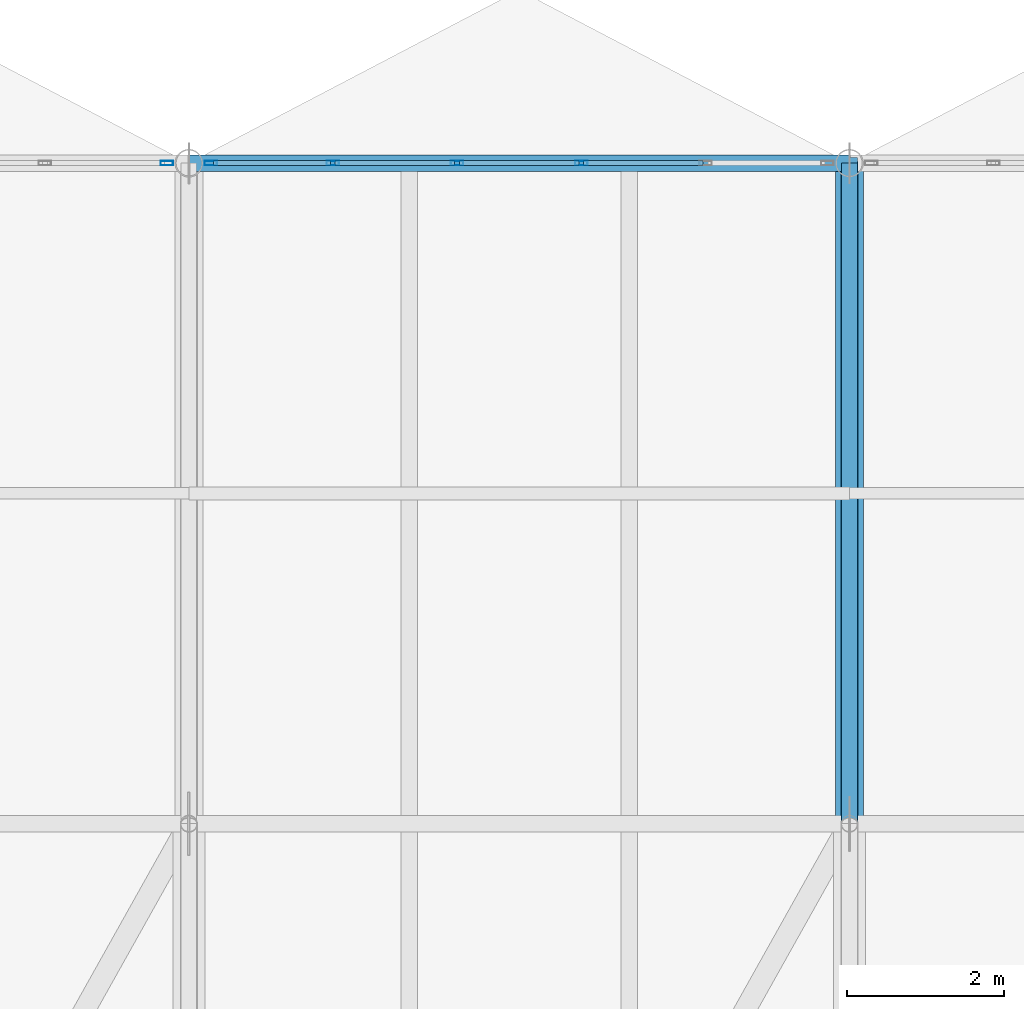
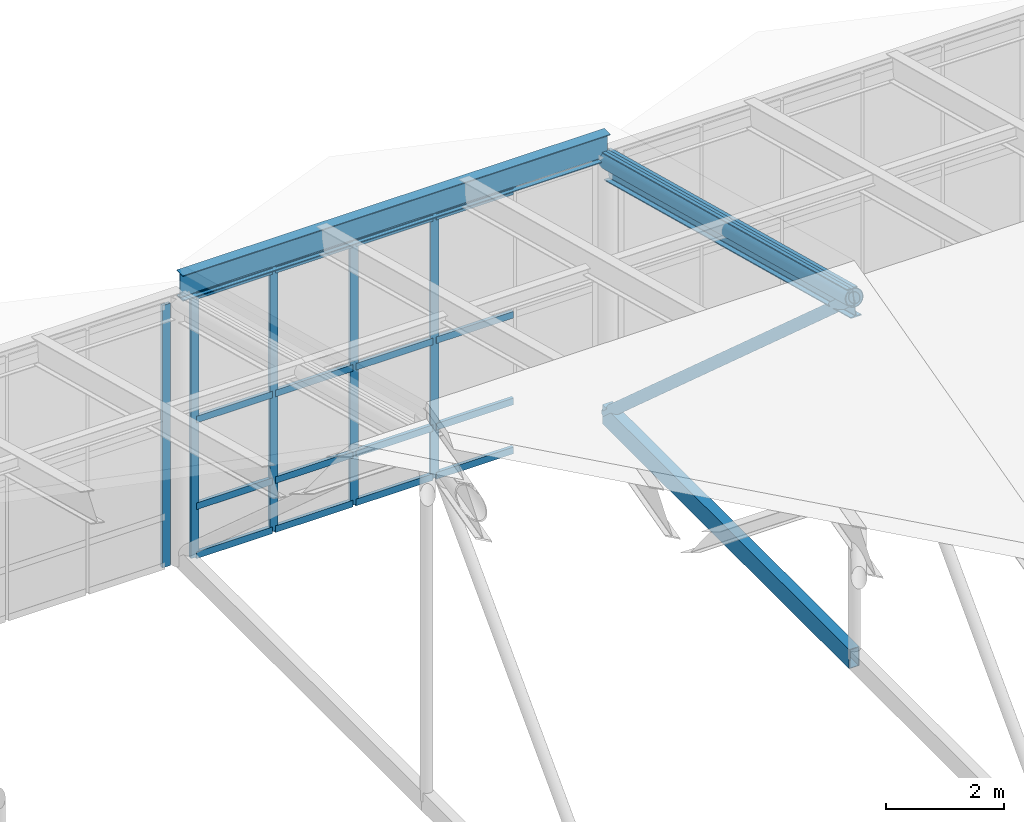
# One storey, part 30 of 43: 24 members, 2 beams, 2 elements without a shape of their own.
"""IFC4 building model written with IfcOpenShell, lengths in metres."""

from ifc_helpers import new_model, si_unit, direction, frame, origin, origin_2d, place, context, subcontext, project, spatial, hollow_rectangle, hollow_circle, i_section, extrude, material, layer, layer_set, material_profile, profile_set, type_object, element, aggregate, save


model = new_model("IFC4")

# Units and contexts
model_context = context("Model", 3, precision=1e-05, world=origin(), true_north=direction((0.0, 1.0)))
body_context = subcontext(model_context, "Body", "Model", "MODEL_VIEW")
ifc_project = project(units=[si_unit("LENGTHUNIT", "METRE"), si_unit("AREAUNIT", "SQUARE_METRE"), si_unit("VOLUMEUNIT", "CUBIC_METRE"), si_unit("PLANEANGLEUNIT", "RADIAN"), si_unit("MASSUNIT", "GRAM", prefix="KILO")], contexts=[model_context])

# Site, building, storey
site_placement = place(None, origin())
site = spatial("IfcSite", under=ifc_project, at=site_placement, CompositionType="ELEMENT")
building_placement = place(site_placement, origin())
building = spatial("IfcBuilding", under=site, at=building_placement, Name="Selat Folded Stagehouse", CompositionType="ELEMENT")
storey_placement = place(building_placement, frame((0.0, 0.0, 32.39990234375)))
storey = spatial("IfcBuildingStorey", under=building, at=storey_placement, Name="RF", CompositionType="ELEMENT", Elevation=32.39990234375)

# Beams
ifc_material_1 = material(Name="Steel S355", Category="steel")
ifc_material_profile_1 = material_profile(ifc_material_1, i_section(OverallWidth=0.210693359375, OverallDepth=0.53955078125, WebThickness=0.01171875, FlangeThickness=0.018798828125, FilletRadius=0.0126953125, at=origin_2d()), Name="UKB 533x210x109")
ifc_profile_set_1 = profile_set([ifc_material_profile_1], Name="Steel S355")
beam_type_1 = type_object("IfcBeamType", Name="BM-GIRD-533x210x109", PredefinedType="BEAM", material=ifc_profile_set_1)
beam_1_placement = place(storey_placement, frame((50.39990234375, 46.199951171875, 7.529296875), z_axis=(0.0, 0.966800633411, -0.25553186736), x_axis=(-1.0, 0.0, 0.0)))
element("IfcBeam", 1, at=beam_1_placement, inside=storey, type_object=beam_type_1, Name="RF primary north rafter beam 6", PredefinedType="BEAM", context=body_context, shape_type="SweptSolid", body=[
    extrude(i_section(OverallWidth=0.210693359375, OverallDepth=0.53955078125, WebThickness=0.01171875, FlangeThickness=0.018798828125, FilletRadius=0.0126953125, at=origin_2d()), origin(), (0.0, 0.0, 1.0), 8.688720703125),
])
ifc_material_profile_2 = material_profile(ifc_material_1, i_section(OverallWidth=0.209228515625, OverallDepth=0.533203125, WebThickness=0.010009765625, FlangeThickness=0.015625, FilletRadius=0.0126953125, at=origin_2d()), Name="UKB 533x210x92")
ifc_profile_set_2 = profile_set([ifc_material_profile_2], Name="Steel S355")
beam_type_2 = type_object("IfcBeamType", Name="BM-GIRD-533x210x92", PredefinedType="BEAM", material=ifc_profile_set_2)
beam_2_placement = place(storey_placement, frame((42.0, 54.60009765625, 5.723388671875), z_axis=(1.0, 0.0, 0.0), x_axis=(0.0, 1.0, 0.0)))
element("IfcBeam", 2, at=beam_2_placement, inside=storey, type_object=beam_type_2, Name="RF bay 5 N roof bearer beam", PredefinedType="BEAM", context=body_context, shape_type="SweptSolid", body=[
    extrude(i_section(OverallWidth=0.209228515625, OverallDepth=0.533203125, WebThickness=0.010009765625, FlangeThickness=0.015625, FilletRadius=0.0126953125, at=origin_2d()), origin(), (0.0, 0.0, 1.0), 8.39990234375),
])

# Curtain wall, member
ifc_material_2 = material(Name="Aluminium 6063-T6", Category="aluminium")
ifc_layer = layer(ifc_material_2, 0.169921875)
ifc_layer_set = layer_set([ifc_layer], Name="Aluminium 6063-T6")
curtain_wall_type = type_object("IfcCurtainWallType", Name="CW-CRN-CLER", PredefinedType="NOTDEFINED", material=ifc_layer_set)
curtain_wall_1_placement = place(storey_placement, origin())
curtain_wall_1 = element("IfcCurtainWall", 3, at=curtain_wall_1_placement, inside=storey, type_object=curtain_wall_type, Name="RF curtain wall CW-RF-N-03", PredefinedType="NOTDEFINED")
ifc_material_profile_3 = material_profile(ifc_material_2, hollow_rectangle(XDim=0.06005859375, YDim=0.159912109375, WallThickness=0.00390625, at=origin_2d()), Name="ALU 160x60x4.0")
ifc_profile_set_3 = profile_set([ifc_material_profile_3], Name="Aluminium 6063-T6")
member_type_1 = type_object("IfcMemberType", Name="CWM-MUL-160x60", PredefinedType="MULLION", material=ifc_profile_set_3)
member_1_placement = place(storey_placement, frame((41.719970703125, 54.60009765625, 0.0), z_axis=(0.0, 0.0, 1.0), x_axis=(0.0, 1.0, 0.0)))
member_1 = element("IfcMember", 4, at=member_1_placement, type_object=member_type_1, Name="CW-09 mullion 6", PredefinedType="MULLION", context=body_context, shape_type="SweptSolid", body=[
    extrude(hollow_rectangle(XDim=0.06005859375, YDim=0.159912109375, WallThickness=0.00390625, at=origin_2d()), origin(), (0.0, 0.0, 1.0), 5.4501953125),
])
aggregate(curtain_wall_1, [member_1])

# Curtain wall, members
curtain_wall_2_placement = place(storey_placement, origin())
curtain_wall_2 = element("IfcCurtainWall", 5, at=curtain_wall_2_placement, inside=storey, type_object=curtain_wall_type, Name="RF curtain wall CW-RF-N-04", PredefinedType="NOTDEFINED")
member_2_placement = place(storey_placement, frame((42.280029296875, 54.60009765625, 0.0), z_axis=(0.0, 0.0, 1.0), x_axis=(0.0, 1.0, 0.0)))
member_2 = element("IfcMember", 6, at=member_2_placement, type_object=member_type_1, Name="CW-09 mullion 1", PredefinedType="MULLION", context=body_context, shape_type="SweptSolid", body=[
    extrude(hollow_rectangle(XDim=0.06005859375, YDim=0.159912109375, WallThickness=0.00390625, at=origin_2d()), origin(), (0.0, 0.0, 1.0), 5.4501953125),
])
member_3_placement = place(storey_placement, frame((43.830078125, 54.60009765625, 0.0), z_axis=(0.0, 0.0, 1.0), x_axis=(0.0, 1.0, 0.0)))
member_3 = element("IfcMember", 7, at=member_3_placement, type_object=member_type_1, Name="CW-09 mullion 2", PredefinedType="MULLION", context=body_context, shape_type="SweptSolid", body=[
    extrude(hollow_rectangle(XDim=0.06005859375, YDim=0.159912109375, WallThickness=0.00390625, at=origin_2d()), origin(), (0.0, 0.0, 1.0), 5.4501953125),
])
member_4_placement = place(storey_placement, frame((45.409912109375, 54.60009765625, 0.0), z_axis=(0.0, 0.0, 1.0), x_axis=(0.0, 1.0, 0.0)))
member_4 = element("IfcMember", 8, at=member_4_placement, type_object=member_type_1, Name="CW-09 mullion 3", PredefinedType="MULLION", context=body_context, shape_type="SweptSolid", body=[
    extrude(hollow_rectangle(XDim=0.06005859375, YDim=0.159912109375, WallThickness=0.00390625, at=origin_2d()), origin(), (0.0, 0.0, 1.0), 5.4501953125),
])
member_5_placement = place(storey_placement, frame((46.989990234375, 54.60009765625, 0.0), z_axis=(0.0, 0.0, 1.0), x_axis=(0.0, 1.0, 0.0)))
member_5 = element("IfcMember", 9, at=member_5_placement, type_object=member_type_1, Name="CW-09 mullion 4", PredefinedType="MULLION", context=body_context, shape_type="SweptSolid", body=[
    extrude(hollow_rectangle(XDim=0.06005859375, YDim=0.159912109375, WallThickness=0.00390625, at=origin_2d()), origin(), (0.0, 0.0, 1.0), 5.4501953125),
])
ifc_material_profile_4 = material_profile(ifc_material_2, hollow_rectangle(XDim=0.06494140625, YDim=0.139892578125, WallThickness=0.00390625, at=origin_2d()), Name="ALU 140x65x4.0")
ifc_profile_set_4 = profile_set([ifc_material_profile_4], Name="Aluminium 6063-T6")
member_type_2 = type_object("IfcMemberType", Name="CWM-TRN-140x65", PredefinedType="USERDEFINED", material=ifc_profile_set_4)
member_6_placement = place(storey_placement, frame((42.31005859375, 54.60009765625, 0.03271484375), z_axis=(1.0, 0.0, 0.0), x_axis=(0.0, 1.0, 0.0)))
member_6 = element("IfcMember", 10, at=member_6_placement, type_object=member_type_2, Name="CW-09 transom 1.1", ObjectType="TRANSOM", PredefinedType="USERDEFINED", context=body_context, shape_type="SweptSolid", body=[
    extrude(hollow_rectangle(XDim=0.06494140625, YDim=0.139892578125, WallThickness=0.00390625, at=origin_2d()), origin(), (0.0, 0.0, 1.0), 1.489990234375),
])
member_7_placement = place(storey_placement, frame((42.31005859375, 54.60009765625, 1.050048828125), z_axis=(1.0, 0.0, 0.0), x_axis=(0.0, 1.0, 0.0)))
member_7 = element("IfcMember", 11, at=member_7_placement, type_object=member_type_2, Name="CW-09 transom 1.2", ObjectType="TRANSOM", PredefinedType="USERDEFINED", context=body_context, shape_type="SweptSolid", body=[
    extrude(hollow_rectangle(XDim=0.06494140625, YDim=0.139892578125, WallThickness=0.00390625, at=origin_2d()), origin(), (0.0, 0.0, 1.0), 1.489990234375),
])
member_8_placement = place(storey_placement, frame((42.31005859375, 54.60009765625, 2.85009765625), z_axis=(1.0, 0.0, 0.0), x_axis=(0.0, 1.0, 0.0)))
member_8 = element("IfcMember", 12, at=member_8_placement, type_object=member_type_2, Name="CW-09 transom 1.3", ObjectType="TRANSOM", PredefinedType="USERDEFINED", context=body_context, shape_type="SweptSolid", body=[
    extrude(hollow_rectangle(XDim=0.06494140625, YDim=0.139892578125, WallThickness=0.00390625, at=origin_2d()), origin(), (0.0, 0.0, 1.0), 1.489990234375),
])
member_9_placement = place(storey_placement, frame((42.31005859375, 54.60009765625, 5.41748046875), z_axis=(1.0, 0.0, 0.0), x_axis=(0.0, 1.0, 0.0)))
member_9 = element("IfcMember", 13, at=member_9_placement, type_object=member_type_2, Name="CW-09 transom 1.4", ObjectType="TRANSOM", PredefinedType="USERDEFINED", context=body_context, shape_type="SweptSolid", body=[
    extrude(hollow_rectangle(XDim=0.06494140625, YDim=0.139892578125, WallThickness=0.00390625, at=origin_2d()), origin(), (0.0, 0.0, 1.0), 1.489990234375),
])
member_10_placement = place(storey_placement, frame((43.860107421875, 54.60009765625, 0.03271484375), z_axis=(1.0, 0.0, 0.0), x_axis=(0.0, 1.0, 0.0)))
member_10 = element("IfcMember", 14, at=member_10_placement, type_object=member_type_2, Name="CW-09 transom 2.1", ObjectType="TRANSOM", PredefinedType="USERDEFINED", context=body_context, shape_type="SweptSolid", body=[
    extrude(hollow_rectangle(XDim=0.06494140625, YDim=0.139892578125, WallThickness=0.00390625, at=origin_2d()), origin(), (0.0, 0.0, 1.0), 1.519775390625),
])
member_11_placement = place(storey_placement, frame((43.860107421875, 54.60009765625, 1.050048828125), z_axis=(1.0, 0.0, 0.0), x_axis=(0.0, 1.0, 0.0)))
member_11 = element("IfcMember", 15, at=member_11_placement, type_object=member_type_2, Name="CW-09 transom 2.2", ObjectType="TRANSOM", PredefinedType="USERDEFINED", context=body_context, shape_type="SweptSolid", body=[
    extrude(hollow_rectangle(XDim=0.06494140625, YDim=0.139892578125, WallThickness=0.00390625, at=origin_2d()), origin(), (0.0, 0.0, 1.0), 1.519775390625),
])
member_12_placement = place(storey_placement, frame((43.860107421875, 54.60009765625, 2.85009765625), z_axis=(1.0, 0.0, 0.0), x_axis=(0.0, 1.0, 0.0)))
member_12 = element("IfcMember", 16, at=member_12_placement, type_object=member_type_2, Name="CW-09 transom 2.3", ObjectType="TRANSOM", PredefinedType="USERDEFINED", context=body_context, shape_type="SweptSolid", body=[
    extrude(hollow_rectangle(XDim=0.06494140625, YDim=0.139892578125, WallThickness=0.00390625, at=origin_2d()), origin(), (0.0, 0.0, 1.0), 1.519775390625),
])
member_13_placement = place(storey_placement, frame((43.860107421875, 54.60009765625, 5.41748046875), z_axis=(1.0, 0.0, 0.0), x_axis=(0.0, 1.0, 0.0)))
member_13 = element("IfcMember", 17, at=member_13_placement, type_object=member_type_2, Name="CW-09 transom 2.4", ObjectType="TRANSOM", PredefinedType="USERDEFINED", context=body_context, shape_type="SweptSolid", body=[
    extrude(hollow_rectangle(XDim=0.06494140625, YDim=0.139892578125, WallThickness=0.00390625, at=origin_2d()), origin(), (0.0, 0.0, 1.0), 1.519775390625),
])
member_14_placement = place(storey_placement, frame((45.43994140625, 54.60009765625, 0.03271484375), z_axis=(1.0, 0.0, 0.0), x_axis=(0.0, 1.0, 0.0)))
member_14 = element("IfcMember", 18, at=member_14_placement, type_object=member_type_2, Name="CW-09 transom 3.1", ObjectType="TRANSOM", PredefinedType="USERDEFINED", context=body_context, shape_type="SweptSolid", body=[
    extrude(hollow_rectangle(XDim=0.06494140625, YDim=0.139892578125, WallThickness=0.00390625, at=origin_2d()), origin(), (0.0, 0.0, 1.0), 1.52001953125),
])
member_15_placement = place(storey_placement, frame((45.43994140625, 54.60009765625, 1.050048828125), z_axis=(1.0, 0.0, 0.0), x_axis=(0.0, 1.0, 0.0)))
member_15 = element("IfcMember", 19, at=member_15_placement, type_object=member_type_2, Name="CW-09 transom 3.2", ObjectType="TRANSOM", PredefinedType="USERDEFINED", context=body_context, shape_type="SweptSolid", body=[
    extrude(hollow_rectangle(XDim=0.06494140625, YDim=0.139892578125, WallThickness=0.00390625, at=origin_2d()), origin(), (0.0, 0.0, 1.0), 1.52001953125),
])
member_16_placement = place(storey_placement, frame((45.43994140625, 54.60009765625, 2.85009765625), z_axis=(1.0, 0.0, 0.0), x_axis=(0.0, 1.0, 0.0)))
member_16 = element("IfcMember", 20, at=member_16_placement, type_object=member_type_2, Name="CW-09 transom 3.3", ObjectType="TRANSOM", PredefinedType="USERDEFINED", context=body_context, shape_type="SweptSolid", body=[
    extrude(hollow_rectangle(XDim=0.06494140625, YDim=0.139892578125, WallThickness=0.00390625, at=origin_2d()), origin(), (0.0, 0.0, 1.0), 1.52001953125),
])
member_17_placement = place(storey_placement, frame((45.43994140625, 54.60009765625, 5.41748046875), z_axis=(1.0, 0.0, 0.0), x_axis=(0.0, 1.0, 0.0)))
member_17 = element("IfcMember", 21, at=member_17_placement, type_object=member_type_2, Name="CW-09 transom 3.4", ObjectType="TRANSOM", PredefinedType="USERDEFINED", context=body_context, shape_type="SweptSolid", body=[
    extrude(hollow_rectangle(XDim=0.06494140625, YDim=0.139892578125, WallThickness=0.00390625, at=origin_2d()), origin(), (0.0, 0.0, 1.0), 1.52001953125),
])
member_18_placement = place(storey_placement, frame((47.02001953125, 54.60009765625, 0.03271484375), z_axis=(1.0, 0.0, 0.0), x_axis=(0.0, 1.0, 0.0)))
member_18 = element("IfcMember", 22, at=member_18_placement, type_object=member_type_2, Name="CW-09 transom 4.1", ObjectType="TRANSOM", PredefinedType="USERDEFINED", context=body_context, shape_type="SweptSolid", body=[
    extrude(hollow_rectangle(XDim=0.06494140625, YDim=0.139892578125, WallThickness=0.00390625, at=origin_2d()), origin(), (0.0, 0.0, 1.0), 1.52001953125),
])
member_19_placement = place(storey_placement, frame((47.02001953125, 54.60009765625, 1.050048828125), z_axis=(1.0, 0.0, 0.0), x_axis=(0.0, 1.0, 0.0)))
member_19 = element("IfcMember", 23, at=member_19_placement, type_object=member_type_2, Name="CW-09 transom 4.2", ObjectType="TRANSOM", PredefinedType="USERDEFINED", context=body_context, shape_type="SweptSolid", body=[
    extrude(hollow_rectangle(XDim=0.06494140625, YDim=0.139892578125, WallThickness=0.00390625, at=origin_2d()), origin(), (0.0, 0.0, 1.0), 1.52001953125),
])
member_20_placement = place(storey_placement, frame((47.02001953125, 54.60009765625, 2.85009765625), z_axis=(1.0, 0.0, 0.0), x_axis=(0.0, 1.0, 0.0)))
member_20 = element("IfcMember", 24, at=member_20_placement, type_object=member_type_2, Name="CW-09 transom 4.3", ObjectType="TRANSOM", PredefinedType="USERDEFINED", context=body_context, shape_type="SweptSolid", body=[
    extrude(hollow_rectangle(XDim=0.06494140625, YDim=0.139892578125, WallThickness=0.00390625, at=origin_2d()), origin(), (0.0, 0.0, 1.0), 1.52001953125),
])
member_21_placement = place(storey_placement, frame((47.02001953125, 54.60009765625, 5.41748046875), z_axis=(1.0, 0.0, 0.0), x_axis=(0.0, 1.0, 0.0)))
member_21 = element("IfcMember", 25, at=member_21_placement, type_object=member_type_2, Name="CW-09 transom 4.4", ObjectType="TRANSOM", PredefinedType="USERDEFINED", context=body_context, shape_type="SweptSolid", body=[
    extrude(hollow_rectangle(XDim=0.06494140625, YDim=0.139892578125, WallThickness=0.00390625, at=origin_2d()), origin(), (0.0, 0.0, 1.0), 1.52001953125),
])
aggregate(curtain_wall_2, [member_2, member_3, member_4, member_5, member_6, member_7, member_8, member_9, member_10, member_11, member_12, member_13, member_14, member_15, member_16, member_17, member_18, member_19, member_20, member_21])

# Members
ifc_material_profile_5 = material_profile(ifc_material_1, hollow_circle(Radius=0.109619140625, WallThickness=0.010009765625, at=origin_2d()), Name="CHS 219.1x10.0")
ifc_profile_set_5 = profile_set([ifc_material_profile_5], Name="Steel S355")
member_type_3 = type_object("IfcMemberType", Name="MEM-BRACE-CHS219", PredefinedType="BRACE", material=ifc_profile_set_5)
member_22_placement = place(storey_placement, frame((50.39990234375, 46.199951171875, 7.6279296875), z_axis=(0.0, 0.746924046978, -0.664909368294), x_axis=(-1.0, 0.0, 0.0)))
element("IfcMember", 26, at=member_22_placement, inside=storey, type_object=member_type_3, Name="Folded-plate web diagonal 6.4", PredefinedType="BRACE", context=body_context, shape_type="SweptSolid", body=[
    extrude(hollow_circle(Radius=0.109619140625, WallThickness=0.010009765625, at=origin_2d()), origin(), (0.0, 0.0, 1.0), 11.246337890625),
])
ifc_material_profile_6 = material_profile(ifc_material_1, hollow_circle(Radius=0.177734375, WallThickness=0.01611328125, at=origin_2d()), Name="CHS 355.6x16.0")
ifc_profile_set_6 = profile_set([ifc_material_profile_6], Name="Steel S355")
member_type_4 = type_object("IfcMemberType", Name="MEM-CHORD-CHS355", PredefinedType="CHORD", material=ifc_profile_set_6)
member_23_placement = place(storey_placement, frame((50.39990234375, 46.199951171875, 7.6279296875), z_axis=(0.0, 0.966807574904, -0.255505602889), x_axis=(-1.0, 0.0, 0.0)))
element("IfcMember", 27, at=member_23_placement, inside=storey, type_object=member_type_4, Name="Folded-plate top chord 6.4", PredefinedType="CHORD", context=body_context, shape_type="SweptSolid", body=[
    extrude(hollow_circle(Radius=0.177734375, WallThickness=0.01611328125, at=origin_2d()), origin(), (0.0, 0.0, 1.0), 8.6884765625),
])
ifc_material_profile_7 = material_profile(ifc_material_1, hollow_rectangle(XDim=0.199951171875, YDim=0.39990234375, WallThickness=0.012451171875, at=origin_2d()), Name="RHS 400x200x12.5")
ifc_profile_set_7 = profile_set([ifc_material_profile_7], Name="Steel S355")
member_type_5 = type_object("IfcMemberType", Name="MEM-CHORD-RHS400", PredefinedType="CHORD", material=ifc_profile_set_7)
member_24_placement = place(storey_placement, frame((50.39990234375, 46.199951171875, 0.150146484375), z_axis=(0.0, 1.0, 0.0), x_axis=(-1.0, 0.0, 0.0)))
element("IfcMember", 28, at=member_24_placement, inside=storey, type_object=member_type_5, Name="Folded-plate bottom tie 6.4", PredefinedType="CHORD", context=body_context, shape_type="SweptSolid", body=[
    extrude(hollow_rectangle(XDim=0.199951171875, YDim=0.39990234375, WallThickness=0.012451171875, at=origin_2d()), origin(), (0.0, 0.0, 1.0), 8.400146484375),
])

save(model, "model.ifc")
